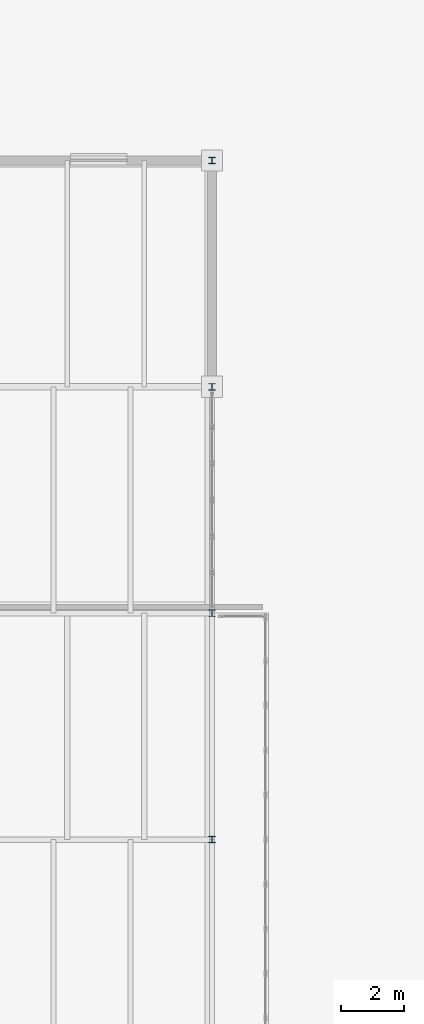
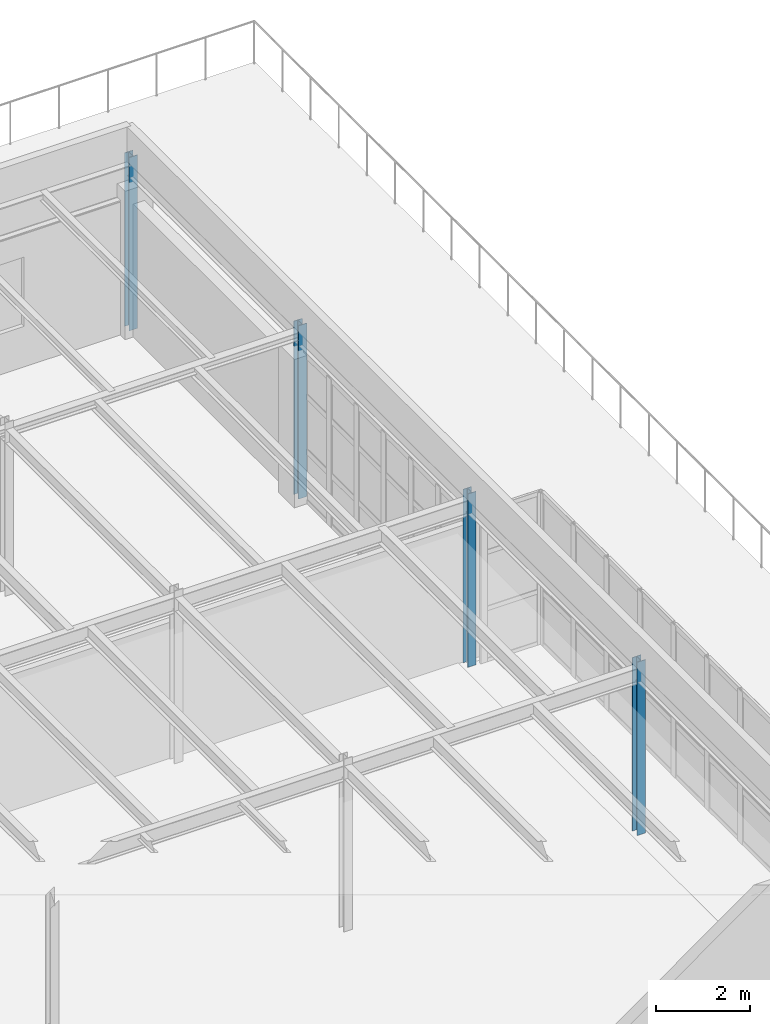
# One storey, part 7 of 43: 4 columns.
"""IFC4 building model written with IfcOpenShell, lengths in metres."""

from ifc_helpers import new_model, si_unit, direction, frame, origin, origin_2d, place, context, subcontext, project, spatial, i_section, extrude, material, material_profile, profile_set, type_object, element, save


model = new_model("IFC4")

# Units and contexts
model_context = context("Model", 3, precision=1e-05, world=origin(), true_north=direction((0.0, 1.0)))
body_context = subcontext(model_context, "Body", "Model", "MODEL_VIEW")
ifc_project = project(units=[si_unit("LENGTHUNIT", "METRE"), si_unit("AREAUNIT", "SQUARE_METRE"), si_unit("VOLUMEUNIT", "CUBIC_METRE"), si_unit("PLANEANGLEUNIT", "RADIAN"), si_unit("MASSUNIT", "GRAM", prefix="KILO")], contexts=[model_context])

# Site, building, storey
site_placement = place(None, origin())
site = spatial("IfcSite", under=ifc_project, at=site_placement, CompositionType="ELEMENT")
building_placement = place(site_placement, origin())
building = spatial("IfcBuilding", under=site, at=building_placement, Name="Kemerveld Promenade Tramway Depot", CompositionType="ELEMENT")
storey_placement = place(building_placement, frame((0.0, 0.0, 18.89990234375)))
storey = spatial("IfcBuildingStorey", under=building, at=storey_placement, Name="L04", CompositionType="ELEMENT", Elevation=18.89990234375)

# Columns
ifc_material = material(Name="Steel S355", Category="steel")
ifc_material_profile = material_profile(ifc_material, i_section(OverallWidth=0.205810546875, OverallDepth=0.209716796875, WebThickness=0.009521484375, FlangeThickness=0.01416015625, FilletRadius=0.01025390625, at=origin_2d()), Name="203x203x60 UC")
ifc_profile_set = profile_set([ifc_material_profile], Name="Steel S355")
column_type = type_object("IfcColumnType", Name="COL-S10", PredefinedType="COLUMN", material=ifc_profile_set)
for number, where, z_axis, x_axis, name in (
    (1, (36.0, 36.0, 0.0), (0.0, 0.0, 1.0), (1.0, 0.0, 0.0), "COL-L04-06-F"),
    (2, (36.0, 43.199951171875, 0.0), (0.0, 0.0, 1.0), (1.0, 0.0, 0.0), "COL-L04-06-G"),
    (3, (36.0, 50.39990234375, 0.0), (0.0, 0.0, 1.0), (1.0, 0.0, 0.0), "COL-L04-06-H"),
    (4, (36.0, 57.60009765625, 0.0), (0.0, 0.0, 1.0), (1.0, 0.0, 0.0), "COL-L04-06-J"),
):
    element("IfcColumn", number, at=place(storey_placement, frame(where, z_axis=z_axis, x_axis=x_axis)), inside=storey, type_object=column_type, Name=name, PredefinedType="COLUMN", context=body_context, shape_type="SweptSolid", body=[
        extrude(i_section(OverallWidth=0.205810546875, OverallDepth=0.209716796875, WebThickness=0.009521484375, FlangeThickness=0.01416015625, FilletRadius=0.01025390625, at=origin_2d()), origin(), (0.0, 0.0, 1.0), 4.5),
    ])

save(model, "model.ifc")
